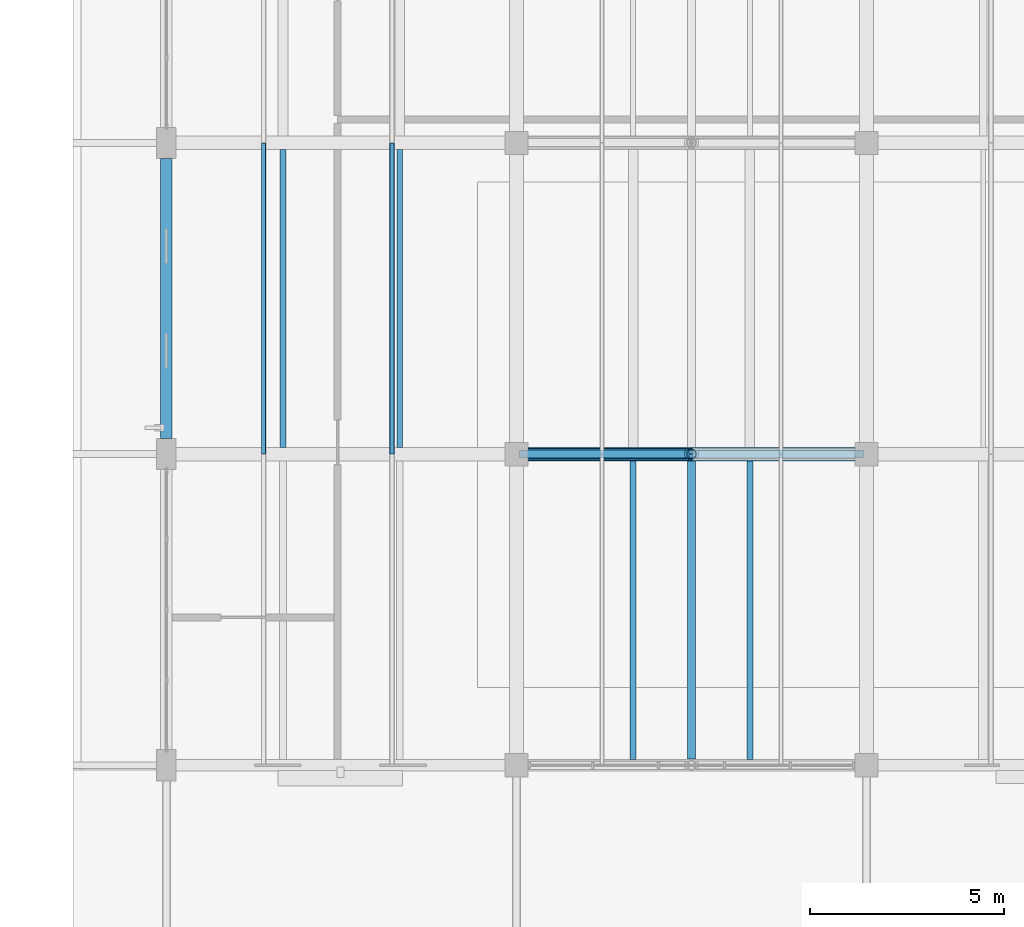
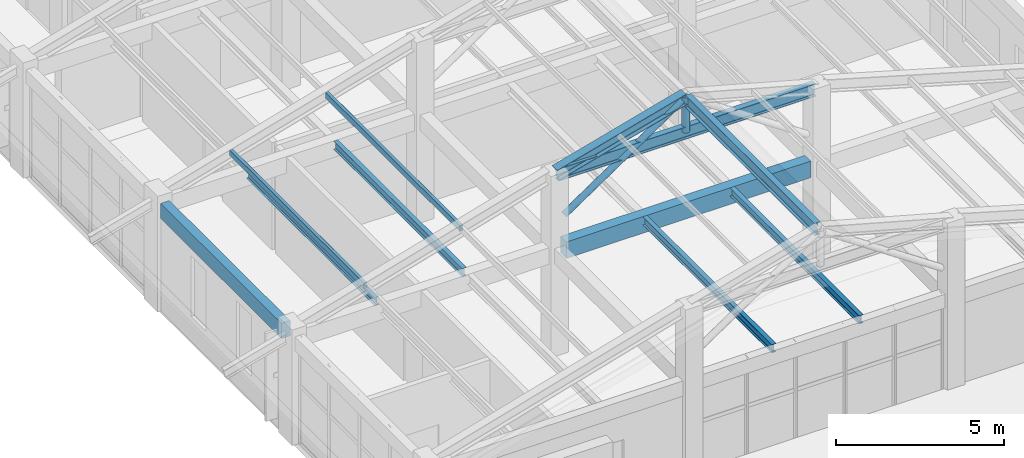
# One storey, part 13 of 58: 8 beams, 5 members.
"""IFC4 building model written with IfcOpenShell, lengths in metres."""

from ifc_helpers import new_model, si_unit, derived_unit, direction, frame, origin, origin_2d, place, context, subcontext, project, spatial, rectangle, hollow_rectangle, hollow_circle, i_section, extrude, material, material_profile, profile_set, type_object, element, save


model = new_model("IFC4")

# Units and contexts
model_context = context("Model", 3, precision=1e-05, world=origin(), true_north=direction((0.0, 1.0)))
body_context = subcontext(model_context, "Body", "Model", "MODEL_VIEW")
ifc_project = project(units=[si_unit("LENGTHUNIT", "METRE"), si_unit("AREAUNIT", "SQUARE_METRE"), si_unit("VOLUMEUNIT", "CUBIC_METRE"), si_unit("PLANEANGLEUNIT", "RADIAN"), si_unit("MASSUNIT", "GRAM", prefix="KILO"), derived_unit("THERMALTRANSMITTANCEUNIT", [(si_unit("MASSUNIT", "GRAM", prefix="KILO"), 1), (si_unit("TIMEUNIT", "SECOND"), -3), (si_unit("THERMODYNAMICTEMPERATUREUNIT", "KELVIN"), -1)])], contexts=[model_context])

# Site, building, storey
site_placement = place(None, origin())
site = spatial("IfcSite", under=ifc_project, at=site_placement, CompositionType="ELEMENT")
building_placement = place(site_placement, origin())
building = spatial("IfcBuilding", under=site, at=building_placement, Name="Zhenchuan Archway Interchange", CompositionType="ELEMENT")
storey_placement = place(building_placement, frame((0.0, 0.0, 22.800048828125)))
storey = spatial("IfcBuildingStorey", under=building, at=storey_placement, Name="L05", CompositionType="ELEMENT", Elevation=22.800048828125)

# Beams
ifc_material_1 = material(Name="Concrete C40", Category="concrete")
ifc_material_profile_1 = material_profile(ifc_material_1, rectangle(XDim=0.35009765625, YDim=0.60009765625, at=origin_2d()), Name="RC 350x600")
ifc_profile_set_1 = profile_set([ifc_material_profile_1], Name="Concrete C40")
beam_type_1 = type_object("IfcBeamType", Name="BM_RC_350x600", PredefinedType="BEAM", material=ifc_profile_set_1)
beam_1_placement = place(storey_placement, frame((153.300048828125, 32.0, 3.619873046875), z_axis=(1.0, 0.0, 0.0), x_axis=(0.0, 1.0, 0.0)))
element("IfcBeam", 1, at=beam_1_placement, inside=storey, type_object=beam_type_1, Name="Beam E:18-19 (L05)", PredefinedType="BEAM", context=body_context, shape_type="SweptSolid", body=[
    extrude(rectangle(XDim=0.35009765625, YDim=0.60009765625, at=origin_2d()), origin(), (0.0, 0.0, 1.0), 8.39990234375),
])
ifc_material_2 = material(Name="Steel Q355", Category="steel")
ifc_material_profile_2 = material_profile(ifc_material_2, i_section(OverallWidth=0.300048828125, OverallDepth=0.389892578125, WebThickness=0.010009765625, FlangeThickness=0.01611328125, FilletRadius=0.02001953125, at=origin_2d()), Name="HM 390x300")
ifc_profile_set_2 = profile_set([ifc_material_profile_2], Name="Steel Q355")
beam_type_2 = type_object("IfcBeamType", Name="BM_STL_HM390", PredefinedType="BEAM", material=ifc_profile_set_2)
beam_2_placement = place(storey_placement, frame((153.050048828125, 32.0, 6.419921875), z_axis=(0.964108539649, 0.0, 0.265508425055), x_axis=(0.0, 1.0, 0.0)))
element("IfcBeam", 2, at=beam_2_placement, inside=storey, type_object=beam_type_2, Name="ROOF TRUSS command wing T2 west apex rafter", PredefinedType="BEAM", context=body_context, shape_type="SweptSolid", body=[
    extrude(i_section(OverallWidth=0.300048828125, OverallDepth=0.389892578125, WebThickness=0.010009765625, FlangeThickness=0.01611328125, FilletRadius=0.02001953125, at=origin_2d()), origin(), (0.0, 0.0, 1.0), 4.5947265625),
])
ifc_material_profile_3 = material_profile(ifc_material_2, i_section(OverallWidth=0.199951171875, OverallDepth=0.449951171875, WebThickness=0.009033203125, FlangeThickness=0.013916015625, FilletRadius=0.01806640625, at=origin_2d()), Name="HN 450x200")
ifc_profile_set_3 = profile_set([ifc_material_profile_3], Name="Steel Q355")
beam_type_3 = type_object("IfcBeamType", Name="BM_STL_HN450", PredefinedType="BEAM", material=ifc_profile_set_3)
beam_3_placement = place(storey_placement, frame((157.5, 24.159912109375, 7.579833984375), z_axis=(0.0, 1.0, 0.0), x_axis=(-1.0, 0.0, 0.0)))
element("IfcBeam", 3, at=beam_3_placement, inside=storey, type_object=beam_type_3, Name="Command wing ridge girder 1", PredefinedType="BEAM", context=body_context, shape_type="SweptSolid", body=[
    extrude(i_section(OverallWidth=0.199951171875, OverallDepth=0.449951171875, WebThickness=0.009033203125, FlangeThickness=0.013916015625, FilletRadius=0.01806640625, at=origin_2d()), origin(), (0.0, 0.0, 1.0), 7.68017578125),
])
ifc_material_profile_4 = material_profile(ifc_material_2, i_section(OverallWidth=0.14990234375, OverallDepth=0.300048828125, WebThickness=0.006591796875, FlangeThickness=0.009033203125, FilletRadius=0.012939453125, at=origin_2d()), Name="HN 300x150")
ifc_profile_set_4 = profile_set([ifc_material_profile_4], Name="Steel Q355")
beam_type_4 = type_object("IfcBeamType", Name="JST_STL_HN300", PredefinedType="JOIST", material=ifc_profile_set_4)
for number, where, z_axis, x_axis, name in (
    (4, (147.0, 32.175048828125, 3.77001953125), (0.0, 1.0, 0.0), (-1.0, 0.0, 0.0), "Secondary joist 17-18/E-F #1 (L05)"),
    (5, (150.0, 32.175048828125, 3.77001953125), (0.0, 1.0, 0.0), (-1.0, 0.0, 0.0), "Secondary joist 17-18/E-F #2 (L05)"),
):
    element("IfcBeam", number, at=place(storey_placement, frame(where, z_axis=z_axis, x_axis=x_axis)), inside=storey, type_object=beam_type_4, Name=name, PredefinedType="JOIST", context=body_context, shape_type="SweptSolid", body=[
        extrude(i_section(OverallWidth=0.14990234375, OverallDepth=0.300048828125, WebThickness=0.006591796875, FlangeThickness=0.009033203125, FilletRadius=0.012939453125, at=origin_2d()), origin(), (0.0, 0.0, 1.0), 7.64990234375),
    ])
for number, where, z_axis, x_axis, name in (
    (6, (156.0, 24.14990234375, 3.77001953125), (0.0, 1.0, 0.0), (-1.0, 0.0, 0.0), "Secondary joist 18-19/D-E #1 (L05)"),
    (7, (159.0, 24.14990234375, 3.77001953125), (0.0, 1.0, 0.0), (-1.0, 0.0, 0.0), "Secondary joist 18-19/D-E #2 (L05)"),
):
    element("IfcBeam", number, at=place(storey_placement, frame(where, z_axis=z_axis, x_axis=x_axis)), inside=storey, type_object=beam_type_4, Name=name, PredefinedType="JOIST", context=body_context, shape_type="SweptSolid", body=[
        extrude(i_section(OverallWidth=0.14990234375, OverallDepth=0.300048828125, WebThickness=0.006591796875, FlangeThickness=0.009033203125, FilletRadius=0.012939453125, at=origin_2d()), origin(), (0.0, 0.0, 1.0), 7.675048828125),
    ])

# Members
ifc_material_profile_5 = material_profile(ifc_material_2, i_section(OverallWidth=0.199951171875, OverallDepth=0.449951171875, WebThickness=0.009033203125, FlangeThickness=0.013916015625, FilletRadius=0.01806640625, at=origin_2d()), Name="HN 450x200")
ifc_profile_set_5 = profile_set([ifc_material_profile_5], Name="Steel Q355")
member_type_1 = type_object("IfcMemberType", Name="MB_CHD_HN450", PredefinedType="CHORD", material=ifc_profile_set_5)
member_1_placement = place(storey_placement, frame((153.080078125, 32.0, 6.3798828125), z_axis=(1.0, 0.0, 0.0), x_axis=(0.0, 1.0, 0.0)))
element("IfcMember", 8, at=member_1_placement, inside=storey, type_object=member_type_1, Name="ROOF TRUSS command wing T2 ridge collar tie", PredefinedType="CHORD", context=body_context, shape_type="SweptSolid", body=[
    extrude(i_section(OverallWidth=0.199951171875, OverallDepth=0.449951171875, WebThickness=0.009033203125, FlangeThickness=0.013916015625, FilletRadius=0.01806640625, at=origin_2d()), origin(), (0.0, 0.0, 1.0), 8.83984375),
])
ifc_material_profile_6 = material_profile(ifc_material_2, hollow_circle(Radius=0.109619140625, WallThickness=0.008056640625, at=origin_2d()), Name="CHS 219x8")
ifc_profile_set_6 = profile_set([ifc_material_profile_6], Name="Steel Q355")
member_type_2 = type_object("IfcMemberType", Name="MB_CHS219", PredefinedType="BRACE", material=ifc_profile_set_6)
member_2_placement = place(storey_placement, frame((153.320068359375, 32.0, 4.800048828125), z_axis=(0.827937334182, 0.0, 0.560820622541), x_axis=(0.0, 1.0, 0.0)))
element("IfcMember", 9, at=member_2_placement, inside=storey, type_object=member_type_2, Name="ROOF TRUSS command wing T2 west apex diagonal", PredefinedType="BRACE", context=body_context, shape_type="SweptSolid", body=[
    extrude(hollow_circle(Radius=0.109619140625, WallThickness=0.008056640625, at=origin_2d()), origin(), (0.0, 0.0, 1.0), 4.903564453125),
])
ifc_material_profile_7 = material_profile(ifc_material_2, hollow_circle(Radius=0.12255859375, WallThickness=0.010009765625, at=origin_2d()), Name="CHS 245x10")
ifc_profile_set_7 = profile_set([ifc_material_profile_7], Name="Steel Q355")
member_type_3 = type_object("IfcMemberType", Name="MB_CHS245", PredefinedType="BRACE", material=ifc_profile_set_7)
member_3_placement = place(storey_placement, frame((157.5, 32.0, 6.3798828125), z_axis=(0.0, 0.0, 1.0), x_axis=(1.0, 0.0, 0.0)))
element("IfcMember", 10, at=member_3_placement, inside=storey, type_object=member_type_3, Name="ROOF TRUSS command wing T2 apex king-post", PredefinedType="BRACE", context=body_context, shape_type="SweptSolid", body=[
    extrude(hollow_circle(Radius=0.12255859375, WallThickness=0.010009765625, at=origin_2d()), origin(), (0.0, 0.0, 1.0), 1.280029296875),
])
ifc_material_profile_8 = material_profile(ifc_material_2, hollow_rectangle(XDim=0.1201171875, YDim=0.199951171875, WallThickness=0.008056640625, InnerFilletRadius=0.008056640625, OuterFilletRadius=0.01611328125, at=origin_2d()), Name="RHS 200x120x8")
ifc_profile_set_8 = profile_set([ifc_material_profile_8], Name="Steel Q355")
member_type_4 = type_object("IfcMemberType", Name="MB_RHS200", PredefinedType="PURLIN", material=ifc_profile_set_8)
member_4_placement = place(storey_placement, frame((146.5, 32.008056640625, 4.619873046875), z_axis=(0.0, 1.0, 0.0), x_axis=(-1.0, 0.0, 0.0)))
element("IfcMember", 11, at=member_4_placement, inside=storey, type_object=member_type_4, Name="Command wing roof purlin B2-P1", PredefinedType="PURLIN", context=body_context, shape_type="SweptSolid", body=[
    extrude(hollow_rectangle(XDim=0.1201171875, YDim=0.199951171875, WallThickness=0.008056640625, InnerFilletRadius=0.008056640625, OuterFilletRadius=0.01611328125, at=origin_2d()), origin(), (0.0, 0.0, 1.0), 7.98388671875),
])
ifc_material_profile_9 = material_profile(ifc_material_2, hollow_rectangle(XDim=0.1201171875, YDim=0.219970703125, WallThickness=0.008056640625, InnerFilletRadius=0.008056640625, OuterFilletRadius=0.01611328125, at=origin_2d()), Name="RHS 220x120x8")
ifc_profile_set_9 = profile_set([ifc_material_profile_9], Name="Steel Q355")
member_type_5 = type_object("IfcMemberType", Name="MB_RHS220", PredefinedType="PURLIN", material=ifc_profile_set_9)
member_5_placement = place(storey_placement, frame((149.800048828125, 32.008056640625, 5.5400390625), z_axis=(0.0, 1.0, 0.0), x_axis=(-1.0, 0.0, 0.0)))
element("IfcMember", 12, at=member_5_placement, inside=storey, type_object=member_type_5, Name="Command wing roof purlin B2-P2", PredefinedType="PURLIN", context=body_context, shape_type="SweptSolid", body=[
    extrude(hollow_rectangle(XDim=0.1201171875, YDim=0.219970703125, WallThickness=0.008056640625, InnerFilletRadius=0.008056640625, OuterFilletRadius=0.01611328125, at=origin_2d()), origin(), (0.0, 0.0, 1.0), 7.98388671875),
])

# Beam
ifc_material_profile_10 = material_profile(ifc_material_1, rectangle(XDim=0.300048828125, YDim=0.550048828125, at=origin_2d()), Name="RC 300x550")
ifc_profile_set_10 = profile_set([ifc_material_profile_10], Name="Concrete C40")
beam_type_5 = type_object("IfcBeamType", Name="SP_RC_300x550", PredefinedType="SPANDREL", material=ifc_profile_set_10)
beam_4_placement = place(storey_placement, frame((144.0, 32.39990234375, 3.64501953125), z_axis=(0.0, 1.0, 0.0), x_axis=(-1.0, 0.0, 0.0)))
element("IfcBeam", 13, at=beam_4_placement, inside=storey, type_object=beam_type_5, Name="Beam 17:E-F (L05)", PredefinedType="SPANDREL", context=body_context, shape_type="SweptSolid", body=[
    extrude(rectangle(XDim=0.300048828125, YDim=0.550048828125, at=origin_2d()), origin(), (0.0, 0.0, 1.0), 7.2001953125),
])

save(model, "model.ifc")
